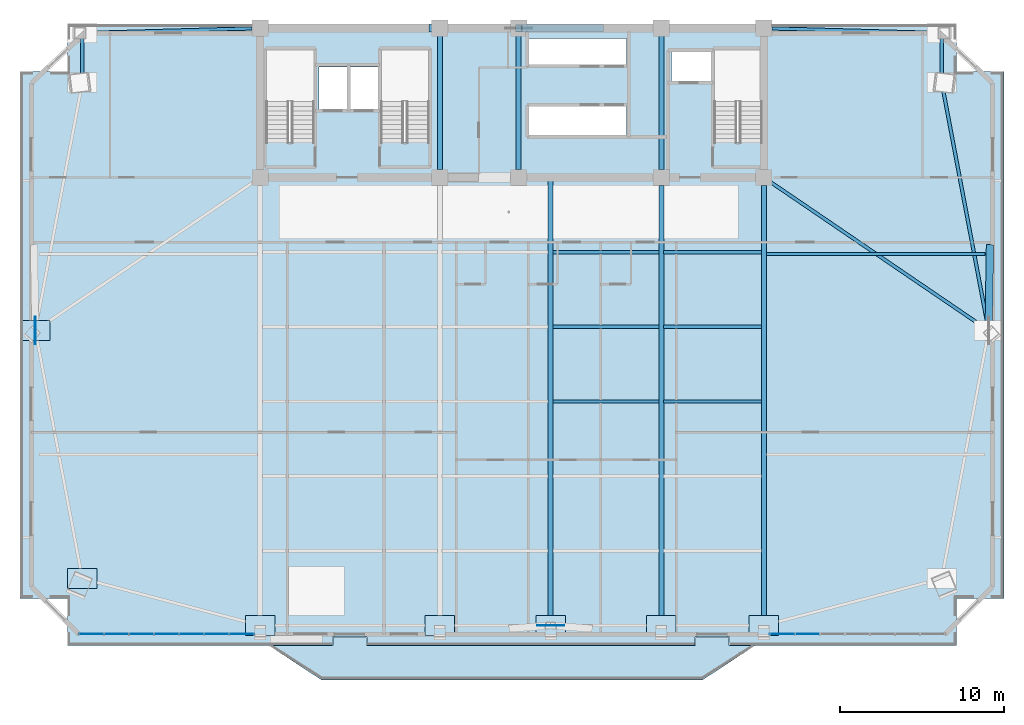
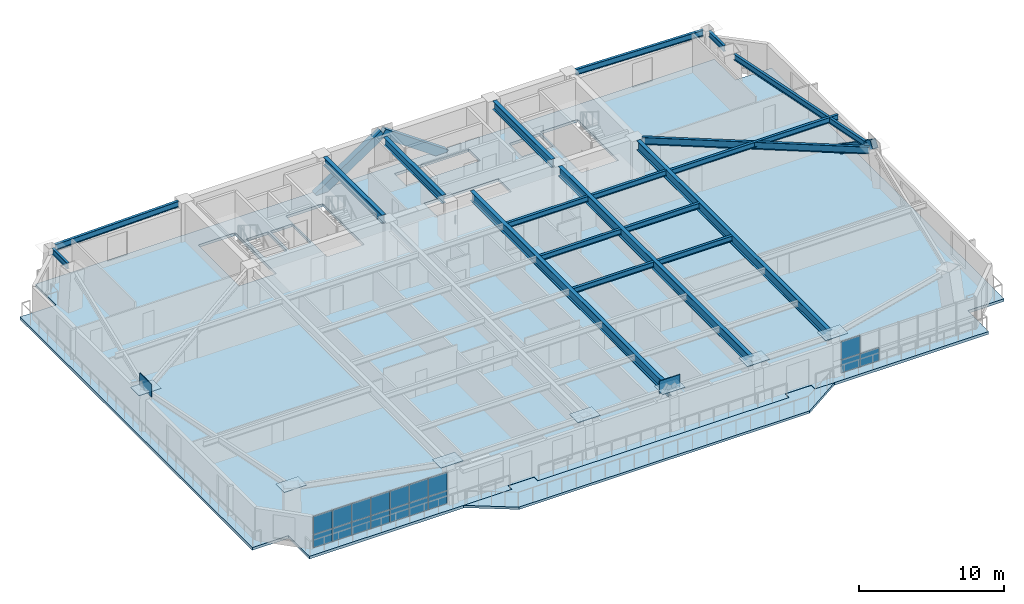
# One storey, part 6 of 15: 26 plates, 19 beams, 3 members, 2 slabs, 2 elements without a shape of their own.
"""IFC4 building model written with IfcOpenShell, lengths in metres."""

from ifc_helpers import new_model, si_unit, direction, frame, origin, origin_2d, place, context, subcontext, project, spatial, polyline, rectangle, hollow_rectangle, i_section, outline, extrude, source, transform, mapped, material, layer, layer_set, material_profile, profile_set, type_object, element, aggregate, save


model = new_model("IFC4")

# Units and contexts
model_context = context("Model", 3, precision=1e-05, world=origin(), true_north=direction((0.0, 1.0)))
body_context = subcontext(model_context, "Body", "Model", "MODEL_VIEW")
ifc_project = project(units=[si_unit("LENGTHUNIT", "METRE"), si_unit("AREAUNIT", "SQUARE_METRE"), si_unit("VOLUMEUNIT", "CUBIC_METRE"), si_unit("PLANEANGLEUNIT", "RADIAN"), si_unit("MASSUNIT", "GRAM", prefix="KILO")], contexts=[model_context])

# Site, building, storey
site_placement = place(None, origin())
site = spatial("IfcSite", under=ifc_project, at=site_placement, CompositionType="ELEMENT")
building_placement = place(site_placement, origin())
building = spatial("IfcBuilding", under=site, at=building_placement, Name="Giltprow Tower", CompositionType="ELEMENT")
storey_placement = place(building_placement, frame((0.0, 0.0, 177.199951171875)))
storey = spatial("IfcBuildingStorey", under=building, at=storey_placement, Name="L44", CompositionType="ELEMENT", Elevation=177.199951171875)

# Beams
ifc_material_1 = material(Name="Structural steel Q355B", Category="steel")
ifc_material_profile_1 = material_profile(ifc_material_1, i_section(OverallWidth=0.199951171875, OverallDepth=0.449951171875, WebThickness=0.009033203125, FlangeThickness=0.013916015625, at=origin_2d()), Name="HN 450x200x9x14")
ifc_profile_set_1 = profile_set([ifc_material_profile_1], Name="Structural steel Q355B")
beam_type_1 = type_object("IfcBeamType", Name="BM-JOIST-HN450", PredefinedType="JOIST", material=ifc_profile_set_1)
shared_shape_1 = source(origin(), body_context, "Body", "SweptSolid", [
    extrude(i_section(OverallWidth=0.199951171875, OverallDepth=0.449951171875, WebThickness=0.009033203125, FlangeThickness=0.013916015625, at=origin_2d()), origin(), (0.0, 0.0, 1.0), 6.4599609375),
])
for number, where, z_axis, x_axis, name in (
    (1, (37.695068359375, 23.802001953125, 3.045166015625), (1.0, 0.0, 0.0), (0.0, 1.0, 0.0), "L44 Composite Floor Joist 3-3"),
    (2, (37.695068359375, 28.35107421875, 3.045166015625), (1.0, 0.0, 0.0), (0.0, 1.0, 0.0), "L44 Composite Floor Joist 4-3"),
    (3, (37.695068359375, 32.90087890625, 3.045166015625), (1.0, 0.0, 0.0), (0.0, 1.0, 0.0), "L44 Composite Floor Joist 5-3"),
):
    element("IfcBeam", number, at=place(storey_placement, frame(where, z_axis=z_axis, x_axis=x_axis)), inside=storey, type_object=beam_type_1, Name=name, PredefinedType="JOIST", context=body_context, shape_type="MappedRepresentation", body=[
        mapped(shared_shape_1, transform((0.0, 0.0, 0.0), x_axis=(1.0, 0.0, 0.0), y_axis=(0.0, 1.0, 0.0), z_axis=(0.0, 0.0, 1.0), scale=1.0)),
    ])
shared_shape_2 = source(origin(), body_context, "Body", "SweptSolid", [
    extrude(i_section(OverallWidth=0.199951171875, OverallDepth=0.449951171875, WebThickness=0.009033203125, FlangeThickness=0.013916015625, at=origin_2d()), origin(), (0.0, 0.0, 1.0), 5.9599609375),
])
for number, where, z_axis, x_axis, name in (
    (4, (44.445068359375, 23.802001953125, 3.045166015625), (1.0, 0.0, 0.0), (0.0, 1.0, 0.0), "L44 Composite Floor Joist 3-4"),
    (5, (44.445068359375, 28.35107421875, 3.045166015625), (1.0, 0.0, 0.0), (0.0, 1.0, 0.0), "L44 Composite Floor Joist 4-4"),
    (6, (44.445068359375, 32.90087890625, 3.045166015625), (1.0, 0.0, 0.0), (0.0, 1.0, 0.0), "L44 Composite Floor Joist 5-4"),
):
    element("IfcBeam", number, at=place(storey_placement, frame(where, z_axis=z_axis, x_axis=x_axis)), inside=storey, type_object=beam_type_1, Name=name, PredefinedType="JOIST", context=body_context, shape_type="MappedRepresentation", body=[
        mapped(shared_shape_2, transform((0.0, 0.0, 0.0), x_axis=(1.0, 0.0, 0.0), y_axis=(0.0, 1.0, 0.0), z_axis=(0.0, 0.0, 1.0), scale=1.0)),
    ])
ifc_material_profile_2 = material_profile(ifc_material_1, i_section(OverallWidth=0.300048828125, OverallDepth=0.699951171875, WebThickness=0.012939453125, FlangeThickness=0.02392578125, at=origin_2d()), Name="HN 700x300x13x24")
ifc_profile_set_2 = profile_set([ifc_material_profile_2], Name="Structural steel Q355B")
beam_type_2 = type_object("IfcBeamType", Name="BM-GIRD-HN700", PredefinedType="BEAM", material=ifc_profile_set_2)
shared_shape_3 = source(origin(), body_context, "Body", "SweptSolid", [
    extrude(i_section(OverallWidth=0.300048828125, OverallDepth=0.699951171875, WebThickness=0.012939453125, FlangeThickness=0.02392578125, at=origin_2d()), origin(), (0.0, 0.0, 1.0), 8.1298828125),
])
for number, where, z_axis, x_axis, name in (
    (7, (30.800048828125, 37.93505859375, 2.920166015625), (0.0, 1.0, 0.0), (-1.0, 0.0, 0.0), "L44 Core Tie Girder M1"),
    (8, (35.60009765625, 37.93505859375, 2.920166015625), (0.0, 1.0, 0.0), (-1.0, 0.0, 0.0), "L44 Core Tie Girder M2"),
    (9, (44.300048828125, 37.93505859375, 2.920166015625), (0.0, 1.0, 0.0), (-1.0, 0.0, 0.0), "L44 Core Tie Girder M3"),
):
    element("IfcBeam", number, at=place(storey_placement, frame(where, z_axis=z_axis, x_axis=x_axis)), inside=storey, type_object=beam_type_2, Name=name, PredefinedType="BEAM", context=body_context, shape_type="MappedRepresentation", body=[
        mapped(shared_shape_3, transform((0.0, 0.0, 0.0), x_axis=(1.0, 0.0, 0.0), y_axis=(0.0, 1.0, 0.0), z_axis=(0.0, 0.0, 1.0), scale=1.0)),
    ])
ifc_material_profile_3 = material_profile(ifc_material_1, i_section(OverallWidth=0.199951171875, OverallDepth=0.5, WebThickness=0.010009765625, FlangeThickness=0.01611328125, at=origin_2d()), Name="HN 500x200x10x16")
ifc_profile_set_3 = profile_set([ifc_material_profile_3], Name="Structural steel Q355B")
beam_type_3 = type_object("IfcBeamType", Name="BM-SPAN-HN500", PredefinedType="SPANDREL", material=ifc_profile_set_3)
shared_shape_4 = source(origin(), body_context, "Body", "SweptSolid", [
    extrude(i_section(OverallWidth=0.199951171875, OverallDepth=0.5, WebThickness=0.010009765625, FlangeThickness=0.01611328125, at=origin_2d()), origin(), (0.0, 0.0, 1.0), 14.46044921875),
])
beam_1_placement = place(storey_placement, frame((64.18505859375, 28.4560546875, 3.02001953125), z_axis=(-0.186021185186, 0.982545733624, 0.0), x_axis=(-0.982545733624, -0.186021185186, 0.0)))
element("IfcBeam", 10, at=beam_1_placement, inside=storey, type_object=beam_type_3, Name="L44 Perimeter Spandrel Beam E_MID-MC_NE", PredefinedType="SPANDREL", context=body_context, shape_type="MappedRepresentation", body=[
    mapped(shared_shape_4, transform((0.0, 0.0, 0.0), x_axis=(1.0, 0.0, 0.0), y_axis=(0.0, 1.0, 0.0), z_axis=(0.0, 0.0, 1.0), scale=1.0)),
])
shared_shape_5 = source(origin(), body_context, "Body", "SweptSolid", [
    extrude(i_section(OverallWidth=0.199951171875, OverallDepth=0.5, WebThickness=0.010009765625, FlangeThickness=0.01611328125, at=origin_2d()), origin(), (0.0, 0.0, 1.0), 2.091064453125),
])
for number, where, z_axis, x_axis, name in (
    (11, (61.385986328125, 43.823974609375, 3.02001953125), (0.0, 1.0, 0.0), (-1.0, 0.0, 0.0), "L44 Perimeter Spandrel Beam MC_NE-N_E"),
    (12, (9.014892578125, 45.9150390625, 3.02001953125), (0.0, -1.0, 0.0), (1.0, 0.0, 0.0), "L44 Perimeter Spandrel Beam N_W-MC_NW"),
):
    element("IfcBeam", number, at=place(storey_placement, frame(where, z_axis=z_axis, x_axis=x_axis)), inside=storey, type_object=beam_type_3, Name=name, PredefinedType="SPANDREL", context=body_context, shape_type="MappedRepresentation", body=[
        mapped(shared_shape_5, transform((0.0, 0.0, 0.0), x_axis=(1.0, 0.0, 0.0), y_axis=(0.0, 1.0, 0.0), z_axis=(0.0, 0.0, 1.0), scale=1.0)),
    ])
shared_shape_6 = source(origin(), body_context, "Body", "SweptSolid", [
    extrude(i_section(OverallWidth=0.199951171875, OverallDepth=0.5, WebThickness=0.010009765625, FlangeThickness=0.01611328125, at=origin_2d()), origin(), (0.0, 0.0, 1.0), 10.018798828125),
])
beam_2_placement = place(storey_placement, frame((9.35009765625, 46.259033203125, 3.02001953125), z_axis=(0.999614739987, 0.027755568827, 0.0), x_axis=(-0.027755568827, 0.999614739987, 0.0)))
element("IfcBeam", 13, at=beam_2_placement, inside=storey, type_object=beam_type_3, Name="L44 North Wing Spandrel W", PredefinedType="SPANDREL", context=body_context, shape_type="MappedRepresentation", body=[
    mapped(shared_shape_6, transform((0.0, 0.0, 0.0), x_axis=(1.0, 0.0, 0.0), y_axis=(0.0, 1.0, 0.0), z_axis=(0.0, 0.0, 1.0), scale=1.0)),
])
shared_shape_7 = source(origin(), body_context, "Body", "SweptSolid", [
    extrude(i_section(OverallWidth=0.199951171875, OverallDepth=0.5, WebThickness=0.010009765625, FlangeThickness=0.01611328125, at=origin_2d()), origin(), (0.0, 0.0, 1.0), 10.02001953125),
])
beam_3_placement = place(storey_placement, frame((51.034912109375, 46.537109375, 3.02001953125), z_axis=(0.999614833833, -0.027752188752, 0.0), x_axis=(0.027752188752, 0.999614833833, 0.0)))
element("IfcBeam", 14, at=beam_3_placement, inside=storey, type_object=beam_type_3, Name="L44 North Wing Spandrel E", PredefinedType="SPANDREL", context=body_context, shape_type="MappedRepresentation", body=[
    mapped(shared_shape_7, transform((0.0, 0.0, 0.0), x_axis=(1.0, 0.0, 0.0), y_axis=(0.0, 1.0, 0.0), z_axis=(0.0, 0.0, 1.0), scale=1.0)),
])
ifc_material_profile_4 = material_profile(ifc_material_1, i_section(OverallWidth=0.300048828125, OverallDepth=0.800048828125, WebThickness=0.013916015625, FlangeThickness=0.02587890625, at=origin_2d()), Name="HN 800x300x14x26")
ifc_profile_set_4 = profile_set([ifc_material_profile_4], Name="Structural steel Q355B")
beam_type_4 = type_object("IfcBeamType", Name="BM-GIRD-HN800", PredefinedType="BEAM", material=ifc_profile_set_4)
shared_shape_8 = source(origin(), body_context, "Body", "SweptSolid", [
    extrude(i_section(OverallWidth=0.300048828125, OverallDepth=0.800048828125, WebThickness=0.013916015625, FlangeThickness=0.02587890625, at=origin_2d()), origin(), (0.0, 0.0, 1.0), 26.47607421875),
])
for number, where, z_axis, x_axis, name in (
    (15, (44.300048828125, 10.489013671875, 2.8701171875), (0.0, 1.0, 0.0), (-1.0, 0.0, 0.0), "L44 Primary Lease Girder S3"),
    (16, (50.550048828125, 10.489013671875, 2.8701171875), (0.0, 1.0, 0.0), (-1.0, 0.0, 0.0), "L44 Primary Lease Girder S4"),
):
    element("IfcBeam", number, at=place(storey_placement, frame(where, z_axis=z_axis, x_axis=x_axis)), inside=storey, type_object=beam_type_4, Name=name, PredefinedType="BEAM", context=body_context, shape_type="MappedRepresentation", body=[
        mapped(shared_shape_8, transform((0.0, 0.0, 0.0), x_axis=(1.0, 0.0, 0.0), y_axis=(0.0, 1.0, 0.0), z_axis=(0.0, 0.0, 1.0), scale=1.0)),
    ])
shared_shape_9 = source(origin(), body_context, "Body", "SweptSolid", [
    extrude(i_section(OverallWidth=0.300048828125, OverallDepth=0.800048828125, WebThickness=0.013916015625, FlangeThickness=0.02587890625, at=origin_2d()), origin(), (0.0, 0.0, 1.0), 27.2958984375),
])
beam_4_placement = place(storey_placement, frame((37.550048828125, 10.154052734375, 2.8701171875), z_axis=(0.0, 1.0, 0.0), x_axis=(-1.0, 0.0, 0.0)))
element("IfcBeam", 17, at=beam_4_placement, inside=storey, type_object=beam_type_4, Name="L44 Central Lease Girder SMID", PredefinedType="BEAM", context=body_context, shape_type="MappedRepresentation", body=[
    mapped(shared_shape_9, transform((0.0, 0.0, 0.0), x_axis=(1.0, 0.0, 0.0), y_axis=(0.0, 1.0, 0.0), z_axis=(0.0, 0.0, 1.0), scale=1.0)),
])
ifc_material_profile_5 = material_profile(ifc_material_1, i_section(OverallWidth=0.199951171875, OverallDepth=0.60009765625, WebThickness=0.010986328125, FlangeThickness=0.01708984375, at=origin_2d()), Name="HN 600x200x11x17")
ifc_profile_set_5 = profile_set([ifc_material_profile_5], Name="Structural steel Q355B")
beam_type_5 = type_object("IfcBeamType", Name="BM-GIRD-HN600", PredefinedType="BEAM", material=ifc_profile_set_5)
shared_shape_10 = source(origin(), body_context, "Body", "SweptSolid", [
    extrude(i_section(OverallWidth=0.199951171875, OverallDepth=0.60009765625, WebThickness=0.010986328125, FlangeThickness=0.01708984375, at=origin_2d()), origin(), (0.0, 0.0, 1.0), 15.7490234375),
])
beam_5_placement = place(storey_placement, frame((63.969970703125, 28.31494140625, 2.969970703125), z_axis=(-0.826657395896, 0.56270556227, 0.0), x_axis=(-0.56270556227, -0.826657395896, 0.0)))
element("IfcBeam", 18, at=beam_5_placement, inside=storey, type_object=beam_type_5, Name="L44 East Wing Primary Girder", PredefinedType="BEAM", context=body_context, shape_type="MappedRepresentation", body=[
    mapped(shared_shape_10, transform((0.0, 0.0, 0.0), x_axis=(1.0, 0.0, 0.0), y_axis=(0.0, 1.0, 0.0), z_axis=(0.0, 0.0, 1.0), scale=1.0)),
])
shared_shape_11 = source(origin(), body_context, "Body", "SweptSolid", [
    extrude(i_section(OverallWidth=0.199951171875, OverallDepth=0.449951171875, WebThickness=0.009033203125, FlangeThickness=0.013916015625, at=origin_2d()), origin(), (0.0, 0.0, 1.0), 13.33203125),
])
beam_6_placement = place(storey_placement, frame((50.695068359375, 32.7880859375, 3.045166015625), z_axis=(1.0, 0.0, 0.0), x_axis=(0.0, 1.0, 0.0)))
element("IfcBeam", 19, at=beam_6_placement, inside=storey, type_object=beam_type_1, Name="L44 East Wing Floor Joist 2", PredefinedType="JOIST", context=body_context, shape_type="MappedRepresentation", body=[
    mapped(shared_shape_11, transform((0.0, 0.0, 0.0), x_axis=(1.0, 0.0, 0.0), y_axis=(0.0, 1.0, 0.0), z_axis=(0.0, 0.0, 1.0), scale=1.0)),
])

# Members
ifc_material_2 = material(Name="Structural steel Q420GJC", Category="steel")
ifc_material_profile_6 = material_profile(ifc_material_2, hollow_rectangle(XDim=0.449951171875, YDim=0.699951171875, WallThickness=0.031982421875, at=origin_2d()), Name="RHS 700x450x32")
ifc_profile_set_6 = profile_set([ifc_material_profile_6], Name="Structural steel Q420GJC")
member_type = type_object("IfcMemberType", Name="MBR-MEGA-RHS700", PredefinedType="BRACE", material=ifc_profile_set_6)
shared_shape_12 = source(origin(), body_context, "Body", "SweptSolid", [
    extrude(hollow_rectangle(XDim=0.449951171875, YDim=0.699951171875, WallThickness=0.031982421875, at=origin_2d()), origin(), (0.0, 0.0, 1.0), 6.309814453125),
])
member_1_placement = place(storey_placement, frame((30.35009765625, 46.550048828125, -0.139892578125), z_axis=(0.832050294338, 0.0, 0.554700196225), x_axis=(0.0, 1.0, 0.0)))
element("IfcMember", 20, at=member_1_placement, inside=storey, type_object=member_type, Name="L44 Chevron Mega-Brace N-L", PredefinedType="BRACE", context=body_context, shape_type="MappedRepresentation", body=[
    mapped(shared_shape_12, transform((0.0, 0.0, 0.0), x_axis=(1.0, 0.0, 0.0), y_axis=(0.0, 1.0, 0.0), z_axis=(0.0, 0.0, 1.0), scale=1.0)),
])
shared_shape_13 = source(origin(), body_context, "Body", "SweptSolid", [
    extrude(hollow_rectangle(XDim=0.449951171875, YDim=0.699951171875, WallThickness=0.031982421875, at=origin_2d()), origin(), (0.0, 0.0, 1.0), 6.08935546875),
])
member_2_placement = place(storey_placement, frame((40.5830078125, 46.550048828125, -0.139892578125), z_axis=(-0.818307902219, 0.0, 0.574780112014), x_axis=(0.0, -1.0, 0.0)))
element("IfcMember", 21, at=member_2_placement, inside=storey, type_object=member_type, Name="L44 Chevron Mega-Brace N-R", PredefinedType="BRACE", context=body_context, shape_type="MappedRepresentation", body=[
    mapped(shared_shape_13, transform((0.0, 0.0, 0.0), x_axis=(1.0, 0.0, 0.0), y_axis=(0.0, 1.0, 0.0), z_axis=(0.0, 0.0, 1.0), scale=1.0)),
])
shared_shape_14 = source(origin(), body_context, "Body", "SweptSolid", [
    extrude(hollow_rectangle(XDim=0.449951171875, YDim=0.699951171875, WallThickness=0.031982421875, at=origin_2d()), origin(), (0.0, 0.0, 1.0), 6.127685546875),
])
member_3_placement = place(storey_placement, frame((64.324951171875, 33.156005859375, 0.0), z_axis=(-0.01270985475, -0.820721937313, 0.571186450474), x_axis=(0.999880110544, -0.015484332019, 0.0)))
element("IfcMember", 22, at=member_3_placement, inside=storey, type_object=member_type, Name="L44 Chevron Mega-Brace E-R", PredefinedType="BRACE", context=body_context, shape_type="MappedRepresentation", body=[
    mapped(shared_shape_14, transform((0.0, 0.0, 0.0), x_axis=(1.0, 0.0, 0.0), y_axis=(0.0, 1.0, 0.0), z_axis=(0.0, 0.0, 1.0), scale=1.0)),
])

# Slabs
ifc_material_3 = material(Name="Concrete C40", Category="concrete")
ifc_layer_1 = layer(ifc_material_3, 0.199951171875, Name="Concrete C40")
ifc_layer_set_1 = layer_set([ifc_layer_1], Name="Concrete C40")
slab_type_1 = type_object("IfcSlabType", Name="SLB-BALC-BRONZE-200", PredefinedType="FLOOR", material=ifc_layer_set_1)
slab_1_placement = place(storey_placement, frame((0.0, 0.0, -0.199951171875)))
element("IfcSlab", 23, at=slab_1_placement, inside=storey, type_object=slab_type_1, Name="L44 Bronze Prow Waterfront Balcony Slab", PredefinedType="FLOOR", context=body_context, shape_type="SweptSolid", body=[
    extrude(outline(polyline([(50.0, 8.926025390625), (46.800048828125, 6.825927734375), (23.60009765625, 6.825927734375), (20.39990234375, 8.926025390625), (24.280029296875, 8.926025390625), (24.280029296875, 9.426025390625), (26.320068359375, 9.426025390625), (26.320068359375, 8.926025390625), (46.3798828125, 8.926025390625), (46.3798828125, 9.426025390625), (48.419921875, 9.426025390625), (48.419921875, 8.926025390625), (50.0, 8.926025390625)])), origin(), (0.0, 0.0, 1.0), 0.199951171875),
])
ifc_layer_2 = layer(ifc_material_3, 0.22998046875, Name="Concrete C40")
ifc_layer_set_2 = layer_set([ifc_layer_2], Name="Concrete C40")
slab_type_2 = type_object("IfcSlabType", Name="SLB-HTL-230", PredefinedType="FLOOR", material=ifc_layer_set_2)
slab_2_placement = place(storey_placement, frame((0.0, 0.0, -0.22998046875)))
element("IfcSlab", 24, at=slab_2_placement, inside=storey, type_object=slab_type_2, Name="L44 Structural Composite Floor Slab", PredefinedType="FLOOR", context=body_context, shape_type="SweptSolid", body=[
    extrude(outline(polyline([(8.10595703125, 8.926025390625), (8.10595703125, 11.81298828125), (5.218994140625, 11.81298828125), (5.218994140625, 43.9130859375), (8.10595703125, 43.9130859375), (8.10595703125, 46.800048828125), (62.2939453125, 46.800048828125), (62.2939453125, 43.9130859375), (65.180908203125, 43.9130859375), (65.180908203125, 11.81298828125), (62.2939453125, 11.81298828125), (62.2939453125, 8.926025390625), (48.449951171875, 8.926025390625), (48.449951171875, 9.446044921875), (46.35009765625, 9.446044921875), (46.35009765625, 8.926025390625), (26.35009765625, 8.926025390625), (26.35009765625, 9.446044921875), (24.25, 9.446044921875), (24.25, 8.926025390625), (8.10595703125, 8.926025390625)]), holes=[polyline([(42.169921875, 41.800048828125), (36.239990234375, 41.800048828125), (36.239990234375, 40.0), (42.169921875, 40.0), (42.169921875, 41.800048828125)]), polyline([(23.159912109375, 39.570068359375), (23.159912109375, 45.25), (20.199951171875, 45.25), (20.199951171875, 39.570068359375), (23.159912109375, 39.570068359375)]), polyline([(30.159912109375, 39.570068359375), (30.159912109375, 45.25), (27.199951171875, 45.25), (27.199951171875, 39.570068359375), (30.159912109375, 39.570068359375)]), polyline([(50.4599609375, 45.25), (47.5, 45.25), (47.5, 39.570068359375), (50.4599609375, 39.570068359375), (50.4599609375, 45.25)]), polyline([(25.169921875, 44.199951171875), (23.449951171875, 44.199951171875), (23.449951171875, 41.60009765625), (25.169921875, 41.60009765625), (25.169921875, 44.199951171875)]), polyline([(27.10009765625, 44.199951171875), (25.35009765625, 44.199951171875), (25.35009765625, 41.60009765625), (27.10009765625, 41.60009765625), (27.10009765625, 44.199951171875)]), polyline([(47.3798828125, 43.300048828125), (47.3798828125, 45.10009765625), (44.919921875, 45.10009765625), (44.919921875, 43.300048828125), (47.3798828125, 43.300048828125)]), polyline([(42.169921875, 44.300048828125), (42.169921875, 45.919921875), (36.239990234375, 45.919921875), (36.239990234375, 44.300048828125), (42.169921875, 44.300048828125)])]), origin(), (0.0, 0.0, 1.0), 0.22998046875),
])

# Plates
plate_type_1 = type_object("IfcPlateType", Name="PLT-NODE-CKN1", PredefinedType="USERDEFINED", material=ifc_material_2)
shared_shape_15 = source(origin(), body_context, "Body", "SweptSolid", [
    extrude(rectangle(XDim=1.800048828125, YDim=1.199951171875, at=origin_2d()), origin(), (0.0, 0.0, 1.0), 0.044921875),
])
for number, where, z_axis, x_axis, name in (
    (25, (9.014892578125, 13.014892578125, 3.2275390625), (0.0, 0.0, 1.0), (1.0, 0.0, 0.0), "CKN1 Column Taper Splice Node L44-MC_SW"),
    (26, (19.85009765625, 10.154052734375, 3.2275390625), (0.0, 0.0, 1.0), (1.0, 0.0, 0.0), "CKN1 Column Taper Splice Node L44-S1"),
    (27, (30.800048828125, 10.154052734375, 3.2275390625), (0.0, 0.0, 1.0), (1.0, 0.0, 0.0), "CKN1 Column Taper Splice Node L44-S2"),
    (28, (37.550048828125, 10.154052734375, 3.2275390625), (0.0, 0.0, 1.0), (1.0, 0.0, 0.0), "CKN1 Column Taper Splice Node L44-S_MID"),
    (29, (44.300048828125, 10.154052734375, 3.2275390625), (0.0, 0.0, 1.0), (1.0, 0.0, 0.0), "CKN1 Column Taper Splice Node L44-S3"),
    (30, (50.550048828125, 10.154052734375, 3.2275390625), (0.0, 0.0, 1.0), (1.0, 0.0, 0.0), "CKN1 Column Taper Splice Node L44-S4"),
    (31, (6.154052734375, 28.126953125, 3.2275390625), (0.0, 0.0, 1.0), (1.0, 0.0, 0.0), "CKN1 Column Taper Splice Node L44-W_MID"),
):
    element("IfcPlate", number, at=place(storey_placement, frame(where, z_axis=z_axis, x_axis=x_axis)), inside=storey, type_object=plate_type_1, Name=name, ObjectType="SPLICE", PredefinedType="USERDEFINED", context=body_context, shape_type="MappedRepresentation", body=[
        mapped(shared_shape_15, transform((0.0, 0.0, 0.0), x_axis=(1.0, 0.0, 0.0), y_axis=(0.0, 1.0, 0.0), z_axis=(0.0, 0.0, 1.0), scale=1.0)),
    ])
plate_type_2 = type_object("IfcPlateType", Name="PLT-NODE-MBN2", PredefinedType="USERDEFINED", material=ifc_material_2)
shared_shape_16 = source(origin(), body_context, "Body", "SweptSolid", [
    extrude(rectangle(XDim=1.64990234375, YDim=0.044921875, at=origin_2d()), origin(), (0.0, 0.0, 1.0), 1.050048828125),
])
for number, where, z_axis, x_axis, name in (
    (32, (37.550048828125, 10.154052734375, 2.97509765625), (0.0, 0.0, 1.0), (1.0, 0.0, 0.0), "Mega-Brace Node L44-S-LB"),
    (33, (6.154052734375, 28.126953125, 2.97509765625), (0.0, 0.0, 1.0), (0.0, 1.0, 0.0), "Mega-Brace Node L44-W-RB"),
):
    element("IfcPlate", number, at=place(storey_placement, frame(where, z_axis=z_axis, x_axis=x_axis)), inside=storey, type_object=plate_type_2, Name=name, ObjectType="GUSSET", PredefinedType="USERDEFINED", context=body_context, shape_type="MappedRepresentation", body=[
        mapped(shared_shape_16, transform((0.0, 0.0, 0.0), x_axis=(1.0, 0.0, 0.0), y_axis=(0.0, 1.0, 0.0), z_axis=(0.0, 0.0, 1.0), scale=1.0)),
    ])

# Curtain wall, plates
ifc_material_4 = material(Name="Anodized bronze", Category="metal")
ifc_layer_3 = layer(ifc_material_4, 0.179931640625, Name="Anodized bronze")
ifc_layer_set_3 = layer_set([ifc_layer_3], Name="Anodized bronze")
curtain_wall_type = type_object("IfcCurtainWallType", Name="CW-HTL-BRONZE", PredefinedType="NOTDEFINED", material=ifc_layer_set_3)
curtain_wall_1_placement = place(storey_placement, origin())
curtain_wall_1 = element("IfcCurtainWall", 34, at=curtain_wall_1_placement, inside=storey, type_object=curtain_wall_type, Name="L44 South Recessed Curtain Wall 1", PredefinedType="NOTDEFINED")
ifc_material_5 = material(Name="Insulated glass", Category="glass")
plate_type_3 = type_object("IfcPlateType", Name="CW-PANEL-IGU-28", PredefinedType="CURTAIN_PANEL", material=ifc_material_5)
shared_shape_17 = source(origin(), body_context, "Body", "SweptSolid", [
    extrude(rectangle(XDim=1.498046875, YDim=0.028076171875, at=origin_2d()), origin(), (0.0, 0.0, 1.0), 1.0869140625),
])
plate_1_placement = place(storey_placement, frame((9.570068359375, 9.6259765625, 0.0546875), z_axis=(0.0, 0.0, 1.0), x_axis=(1.0, 0.0, 0.0)))
plate_1 = element("IfcPlate", 35, at=plate_1_placement, type_object=plate_type_3, Name="L44 South Recessed Curtain Wall 1 Glazing Panel 1-1", PredefinedType="CURTAIN_PANEL", context=body_context, shape_type="MappedRepresentation", body=[
    mapped(shared_shape_17, transform((0.0, 0.0, 0.0), x_axis=(1.0, 0.0, 0.0), y_axis=(0.0, 1.0, 0.0), z_axis=(0.0, 0.0, 1.0), scale=1.0)),
])
plate_2_placement = place(storey_placement, frame((11.097900390625, 9.6259765625, 0.0546875), z_axis=(0.0, 0.0, 1.0), x_axis=(1.0, 0.0, 0.0)))
plate_2 = element("IfcPlate", 36, at=plate_2_placement, type_object=plate_type_3, Name="L44 South Recessed Curtain Wall 1 Glazing Panel 2-1", PredefinedType="CURTAIN_PANEL", context=body_context, shape_type="MappedRepresentation", body=[
    mapped(shared_shape_17, transform((0.0, 0.0, 0.0), x_axis=(1.0, 0.0, 0.0), y_axis=(0.0, 1.0, 0.0), z_axis=(0.0, 0.0, 1.0), scale=1.0)),
])
plate_3_placement = place(storey_placement, frame((12.625, 9.6259765625, 0.0546875), z_axis=(0.0, 0.0, 1.0), x_axis=(1.0, 0.0, 0.0)))
plate_3 = element("IfcPlate", 37, at=plate_3_placement, type_object=plate_type_3, Name="L44 South Recessed Curtain Wall 1 Glazing Panel 3-1", PredefinedType="CURTAIN_PANEL", context=body_context, shape_type="MappedRepresentation", body=[
    mapped(shared_shape_17, transform((0.0, 0.0, 0.0), x_axis=(1.0, 0.0, 0.0), y_axis=(0.0, 1.0, 0.0), z_axis=(0.0, 0.0, 1.0), scale=1.0)),
])
plate_4_placement = place(storey_placement, frame((14.153076171875, 9.6259765625, 0.0546875), z_axis=(0.0, 0.0, 1.0), x_axis=(1.0, 0.0, 0.0)))
plate_4 = element("IfcPlate", 38, at=plate_4_placement, type_object=plate_type_3, Name="L44 South Recessed Curtain Wall 1 Glazing Panel 4-1", PredefinedType="CURTAIN_PANEL", context=body_context, shape_type="MappedRepresentation", body=[
    mapped(shared_shape_17, transform((0.0, 0.0, 0.0), x_axis=(1.0, 0.0, 0.0), y_axis=(0.0, 1.0, 0.0), z_axis=(0.0, 0.0, 1.0), scale=1.0)),
])
plate_5_placement = place(storey_placement, frame((15.680908203125, 9.6259765625, 0.0546875), z_axis=(0.0, 0.0, 1.0), x_axis=(1.0, 0.0, 0.0)))
plate_5 = element("IfcPlate", 39, at=plate_5_placement, type_object=plate_type_3, Name="L44 South Recessed Curtain Wall 1 Glazing Panel 5-1", PredefinedType="CURTAIN_PANEL", context=body_context, shape_type="MappedRepresentation", body=[
    mapped(shared_shape_17, transform((0.0, 0.0, 0.0), x_axis=(1.0, 0.0, 0.0), y_axis=(0.0, 1.0, 0.0), z_axis=(0.0, 0.0, 1.0), scale=1.0)),
])
plate_6_placement = place(storey_placement, frame((17.2080078125, 9.6259765625, 0.0546875), z_axis=(0.0, 0.0, 1.0), x_axis=(1.0, 0.0, 0.0)))
plate_6 = element("IfcPlate", 40, at=plate_6_placement, type_object=plate_type_3, Name="L44 South Recessed Curtain Wall 1 Glazing Panel 6-1", PredefinedType="CURTAIN_PANEL", context=body_context, shape_type="MappedRepresentation", body=[
    mapped(shared_shape_17, transform((0.0, 0.0, 0.0), x_axis=(1.0, 0.0, 0.0), y_axis=(0.0, 1.0, 0.0), z_axis=(0.0, 0.0, 1.0), scale=1.0)),
])
plate_7_placement = place(storey_placement, frame((18.736083984375, 9.6259765625, 0.0546875), z_axis=(0.0, 0.0, 1.0), x_axis=(1.0, 0.0, 0.0)))
plate_7 = element("IfcPlate", 41, at=plate_7_placement, type_object=plate_type_3, Name="L44 South Recessed Curtain Wall 1 Glazing Panel 7-1", PredefinedType="CURTAIN_PANEL", context=body_context, shape_type="MappedRepresentation", body=[
    mapped(shared_shape_17, transform((0.0, 0.0, 0.0), x_axis=(1.0, 0.0, 0.0), y_axis=(0.0, 1.0, 0.0), z_axis=(0.0, 0.0, 1.0), scale=1.0)),
])

curtain_wall_2_placement = place(storey_placement, origin())
curtain_wall_2 = element("IfcCurtainWall", 42, at=curtain_wall_2_placement, inside=storey, type_object=curtain_wall_type, Name="L44 South Recessed Curtain Wall 6", PredefinedType="NOTDEFINED")
plate_8_placement = place(storey_placement, frame((51.6640625, 9.6259765625, 0.0546875), z_axis=(0.0, 0.0, 1.0), x_axis=(1.0, 0.0, 0.0)))
plate_8 = element("IfcPlate", 43, at=plate_8_placement, type_object=plate_type_3, Name="L44 South Recessed Curtain Wall 6 Glazing Panel 1-1", PredefinedType="CURTAIN_PANEL", context=body_context, shape_type="MappedRepresentation", body=[
    mapped(shared_shape_17, transform((0.0, 0.0, 0.0), x_axis=(1.0, 0.0, 0.0), y_axis=(0.0, 1.0, 0.0), z_axis=(0.0, 0.0, 1.0), scale=1.0)),
])
plate_9_placement = place(storey_placement, frame((53.19189453125, 9.6259765625, 0.0546875), z_axis=(0.0, 0.0, 1.0), x_axis=(1.0, 0.0, 0.0)))
plate_9 = element("IfcPlate", 44, at=plate_9_placement, type_object=plate_type_3, Name="L44 South Recessed Curtain Wall 6 Glazing Panel 2-1", PredefinedType="CURTAIN_PANEL", context=body_context, shape_type="MappedRepresentation", body=[
    mapped(shared_shape_17, transform((0.0, 0.0, 0.0), x_axis=(1.0, 0.0, 0.0), y_axis=(0.0, 1.0, 0.0), z_axis=(0.0, 0.0, 1.0), scale=1.0)),
])

# Plate
shared_shape_18 = source(origin(), body_context, "Body", "SweptSolid", [
    extrude(rectangle(XDim=1.498046875, YDim=0.028076171875, at=origin_2d()), origin(), (0.0, 0.0, 1.0), 1.527099609375),
])
plate_10_placement = place(storey_placement, frame((9.570068359375, 9.6259765625, 1.16845703125), z_axis=(0.0, 0.0, 1.0), x_axis=(1.0, 0.0, 0.0)))
plate_10 = element("IfcPlate", 45, at=plate_10_placement, type_object=plate_type_3, Name="L44 South Recessed Curtain Wall 1 Glazing Panel 1-2", PredefinedType="CURTAIN_PANEL", context=body_context, shape_type="MappedRepresentation", body=[
    mapped(shared_shape_18, transform((0.0, 0.0, 0.0), x_axis=(1.0, 0.0, 0.0), y_axis=(0.0, 1.0, 0.0), z_axis=(0.0, 0.0, 1.0), scale=1.0)),
])

plate_11_placement = place(storey_placement, frame((11.097900390625, 9.6259765625, 1.16845703125), z_axis=(0.0, 0.0, 1.0), x_axis=(1.0, 0.0, 0.0)))
plate_11 = element("IfcPlate", 46, at=plate_11_placement, type_object=plate_type_3, Name="L44 South Recessed Curtain Wall 1 Glazing Panel 2-2", PredefinedType="CURTAIN_PANEL", context=body_context, shape_type="MappedRepresentation", body=[
    mapped(shared_shape_18, transform((0.0, 0.0, 0.0), x_axis=(1.0, 0.0, 0.0), y_axis=(0.0, 1.0, 0.0), z_axis=(0.0, 0.0, 1.0), scale=1.0)),
])

plate_12_placement = place(storey_placement, frame((12.625, 9.6259765625, 1.16845703125), z_axis=(0.0, 0.0, 1.0), x_axis=(1.0, 0.0, 0.0)))
plate_12 = element("IfcPlate", 47, at=plate_12_placement, type_object=plate_type_3, Name="L44 South Recessed Curtain Wall 1 Glazing Panel 3-2", PredefinedType="CURTAIN_PANEL", context=body_context, shape_type="MappedRepresentation", body=[
    mapped(shared_shape_18, transform((0.0, 0.0, 0.0), x_axis=(1.0, 0.0, 0.0), y_axis=(0.0, 1.0, 0.0), z_axis=(0.0, 0.0, 1.0), scale=1.0)),
])

plate_13_placement = place(storey_placement, frame((14.153076171875, 9.6259765625, 1.16845703125), z_axis=(0.0, 0.0, 1.0), x_axis=(1.0, 0.0, 0.0)))
plate_13 = element("IfcPlate", 48, at=plate_13_placement, type_object=plate_type_3, Name="L44 South Recessed Curtain Wall 1 Glazing Panel 4-2", PredefinedType="CURTAIN_PANEL", context=body_context, shape_type="MappedRepresentation", body=[
    mapped(shared_shape_18, transform((0.0, 0.0, 0.0), x_axis=(1.0, 0.0, 0.0), y_axis=(0.0, 1.0, 0.0), z_axis=(0.0, 0.0, 1.0), scale=1.0)),
])

plate_14_placement = place(storey_placement, frame((15.680908203125, 9.6259765625, 1.16845703125), z_axis=(0.0, 0.0, 1.0), x_axis=(1.0, 0.0, 0.0)))
plate_14 = element("IfcPlate", 49, at=plate_14_placement, type_object=plate_type_3, Name="L44 South Recessed Curtain Wall 1 Glazing Panel 5-2", PredefinedType="CURTAIN_PANEL", context=body_context, shape_type="MappedRepresentation", body=[
    mapped(shared_shape_18, transform((0.0, 0.0, 0.0), x_axis=(1.0, 0.0, 0.0), y_axis=(0.0, 1.0, 0.0), z_axis=(0.0, 0.0, 1.0), scale=1.0)),
])

plate_15_placement = place(storey_placement, frame((17.2080078125, 9.6259765625, 1.16845703125), z_axis=(0.0, 0.0, 1.0), x_axis=(1.0, 0.0, 0.0)))
plate_15 = element("IfcPlate", 50, at=plate_15_placement, type_object=plate_type_3, Name="L44 South Recessed Curtain Wall 1 Glazing Panel 6-2", PredefinedType="CURTAIN_PANEL", context=body_context, shape_type="MappedRepresentation", body=[
    mapped(shared_shape_18, transform((0.0, 0.0, 0.0), x_axis=(1.0, 0.0, 0.0), y_axis=(0.0, 1.0, 0.0), z_axis=(0.0, 0.0, 1.0), scale=1.0)),
])

plate_16_placement = place(storey_placement, frame((18.736083984375, 9.6259765625, 1.16845703125), z_axis=(0.0, 0.0, 1.0), x_axis=(1.0, 0.0, 0.0)))
plate_16 = element("IfcPlate", 51, at=plate_16_placement, type_object=plate_type_3, Name="L44 South Recessed Curtain Wall 1 Glazing Panel 7-2", PredefinedType="CURTAIN_PANEL", context=body_context, shape_type="MappedRepresentation", body=[
    mapped(shared_shape_18, transform((0.0, 0.0, 0.0), x_axis=(1.0, 0.0, 0.0), y_axis=(0.0, 1.0, 0.0), z_axis=(0.0, 0.0, 1.0), scale=1.0)),
])

aggregate(curtain_wall_1, [plate_1, plate_10, plate_2, plate_11, plate_3, plate_12, plate_4, plate_13, plate_5, plate_14, plate_6, plate_15, plate_7, plate_16])

plate_17_placement = place(storey_placement, frame((51.6640625, 9.6259765625, 1.16845703125), z_axis=(0.0, 0.0, 1.0), x_axis=(1.0, 0.0, 0.0)))
plate_17 = element("IfcPlate", 52, at=plate_17_placement, type_object=plate_type_3, Name="L44 South Recessed Curtain Wall 6 Glazing Panel 1-2", PredefinedType="CURTAIN_PANEL", context=body_context, shape_type="MappedRepresentation", body=[
    mapped(shared_shape_18, transform((0.0, 0.0, 0.0), x_axis=(1.0, 0.0, 0.0), y_axis=(0.0, 1.0, 0.0), z_axis=(0.0, 0.0, 1.0), scale=1.0)),
])

aggregate(curtain_wall_2, [plate_8, plate_17, plate_9])

save(model, "model.ifc")
